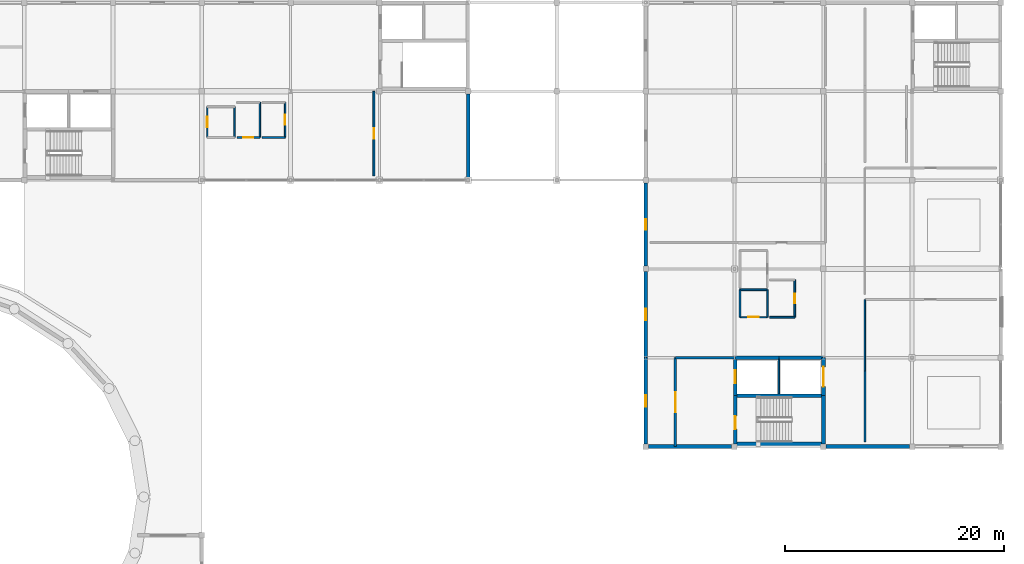
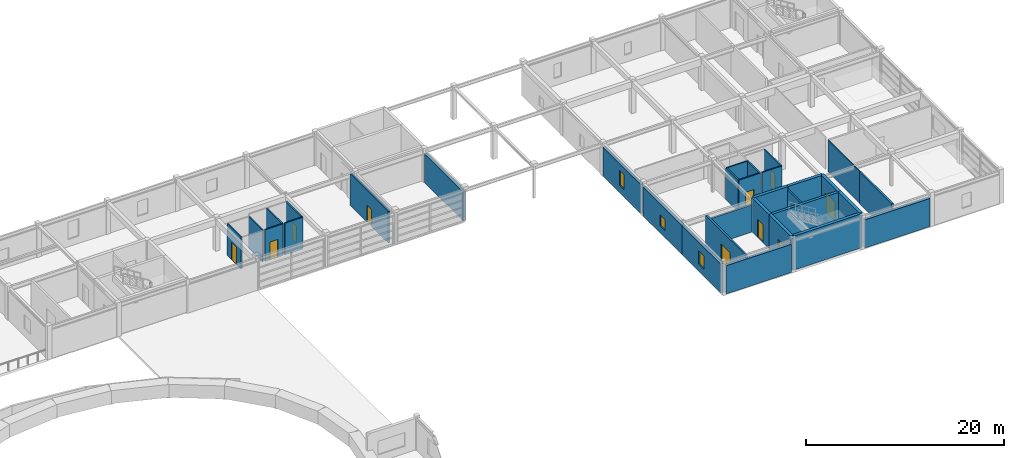
# One storey, part 17 of 26: 32 walls, 10 doors, 3 windows, 13 openings.
"""IFC4 building model written with IfcOpenShell, lengths in metres."""

from ifc_helpers import new_model, si_unit, direction, frame, frame_2d, origin, place, context, subcontext, project, spatial, rectangle, extrude, material, layer, layer_set, type_object, element, fill, save


model = new_model("IFC4")

# Units and contexts
model_context = context("Model", 3, precision=1e-05, world=origin(), true_north=direction((0.0, 1.0)))
body_context = subcontext(model_context, "Body", "Model", "MODEL_VIEW")
ifc_project = project(units=[si_unit("LENGTHUNIT", "METRE"), si_unit("AREAUNIT", "SQUARE_METRE"), si_unit("VOLUMEUNIT", "CUBIC_METRE"), si_unit("PLANEANGLEUNIT", "RADIAN"), si_unit("MASSUNIT", "GRAM", prefix="KILO")], contexts=[model_context])

# Site, building, storey
site_placement = place(None, origin())
site = spatial("IfcSite", under=ifc_project, at=site_placement, CompositionType="ELEMENT")
building_placement = place(site_placement, origin())
building = spatial("IfcBuilding", under=site, at=building_placement, Name="Parian Resonance Hall", CompositionType="ELEMENT")
storey_placement = place(building_placement, frame((0.0, 0.0, 19.199951171875)))
storey = spatial("IfcBuildingStorey", under=building, at=storey_placement, Name="L04", CompositionType="ELEMENT", Elevation=19.199951171875)

# Wall
ifc_material_1 = material(Name="Concrete C40/50", Category="concrete")
ifc_layer_1 = layer(ifc_material_1, 0.31005859375)
ifc_layer_set_1 = layer_set([ifc_layer_1], Name="Concrete C40/50")
wall_type_1 = type_object("IfcWallType", Name="CW310", PredefinedType="SHEAR", material=ifc_layer_set_1)
wall_1_placement = place(storey_placement, frame((121.570068359375, 53.25, 0.0), z_axis=(0.0, 0.0, 1.0), x_axis=(1.0, 0.0, 0.0)))
element("IfcWall", 1, at=wall_1_placement, inside=storey, type_object=wall_type_1, Name="Core K2 stair-lift divider wall L04", PredefinedType="SHEAR", context=body_context, shape_type="SweptSolid", body=[
    extrude(rectangle(XDim=8.059814453125, YDim=0.31005859375, at=frame_2d((4.02978515625, 0.0))), origin(), (0.0, 0.0, 1.0), 4.199951171875),
])

# Wall, opening, door
ifc_material_2 = material(Name="Concrete C40/50", Category="concrete")
ifc_layer_2 = layer(ifc_material_2, 0.35009765625)
ifc_layer_set_2 = layer_set([ifc_layer_2], Name="Concrete C40/50")
wall_type_2 = type_object("IfcWallType", Name="CW350", PredefinedType="SHEAR", material=ifc_layer_set_2)
wall_2_placement = place(storey_placement, frame((121.570068359375, 48.830078125, 0.0), z_axis=(0.0, 0.0, 1.0), x_axis=(0.0, 1.0, 0.0)))
wall_2 = element("IfcWall", 2, at=wall_2_placement, inside=storey, type_object=wall_type_2, Name="Core K2 stairwell west shear wall L04", PredefinedType="SHEAR", context=body_context, shape_type="SweptSolid", body=[
    extrude(rectangle(XDim=4.419921875, YDim=0.35009765625, at=frame_2d((2.2099609375, 0.0))), origin(), (0.0, 0.0, 1.0), 4.199951171875),
])
opening_1_placement = place(wall_2_placement, frame((1.35009765625, 0.0, 0.0)))
opening_1 = element("IfcOpeningElement", 3, at=opening_1_placement, cuts=wall_2, Name="Opening FD-01", PredefinedType="OPENING", context=body_context, shape_type="SweptSolid", body=[
    extrude(rectangle(XDim=1.199951171875, YDim=2.25, at=frame_2d((0.60009765625, 1.125))), frame((0.0, 0.18505859375, 0.0), z_axis=(0.0, -1.0, 0.0), x_axis=(1.0, 0.0, 0.0)), (0.0, 0.0, 1.0), 0.3701171875),
])
ifc_material_3 = material(Name="Fire-rated acoustic steel and narra timber door", Category="steel")
door_type_1 = type_object("IfcDoorType", Name="FD-01", OperationType="NOTDEFINED", PredefinedType="DOOR", material=ifc_material_3)
door_1_placement = place(opening_1_placement, origin())
door_1 = element("IfcDoor", 4, at=door_1_placement, inside=storey, type_object=door_type_1, Name="Exit stair ST-02 fire door L04", OperationType="SINGLE_SWING_LEFT", OverallHeight=2.25, OverallWidth=1.199951171875, PredefinedType="DOOR", context=body_context, shape_type="SweptSolid", body=[
    extrude(rectangle(XDim=1.199951171875, YDim=2.25, at=frame_2d((0.60009765625, 1.125))), frame((0.0, 0.02490234375, 0.0), z_axis=(0.0, -1.0, 0.0), x_axis=(1.0, 0.0, 0.0)), (0.0, 0.0, 1.0), 0.050048828125),
])
fill(opening_1, door_1)

wall_3_placement = place(storey_placement, frame((121.570068359375, 53.25, 0.0), z_axis=(0.0, 0.0, 1.0), x_axis=(0.0, 1.0, 0.0)))
wall_3 = element("IfcWall", 5, at=wall_3_placement, inside=storey, type_object=wall_type_2, Name="Core K2 lift shaft west shear wall L04", PredefinedType="SHEAR", context=body_context, shape_type="SweptSolid", body=[
    extrude(rectangle(XDim=3.449951171875, YDim=0.35009765625, at=frame_2d((1.72509765625, 0.0))), origin(), (0.0, 0.0, 1.0), 4.199951171875),
])
opening_2_placement = place(wall_3_placement, frame((1.125, 0.0, 0.0)))
opening_2 = element("IfcOpeningElement", 6, at=opening_2_placement, cuts=wall_3, Name="Opening LD-01", PredefinedType="OPENING", context=body_context, shape_type="SweptSolid", body=[
    extrude(rectangle(XDim=1.199951171875, YDim=2.199951171875, at=frame_2d((0.60009765625, 1.10009765625))), frame((0.0, 0.18505859375, 0.0), z_axis=(0.0, -1.0, 0.0), x_axis=(1.0, 0.0, 0.0)), (0.0, 0.0, 1.0), 0.3701171875),
])
ifc_material_4 = material(Name="Stainless steel and bronze elevator cab", Category="steel")
door_type_2 = type_object("IfcDoorType", Name="DOOR-LIFT-1200x2200", OperationType="SLIDING_TO_LEFT", PredefinedType="DOOR", material=ifc_material_4)
door_2_placement = place(opening_2_placement, origin())
door_2 = element("IfcDoor", 7, at=door_2_placement, inside=storey, type_object=door_type_2, Name="Lift LF-02 sliding landing door L04", OperationType="SLIDING_TO_LEFT", OverallHeight=2.199951171875, OverallWidth=1.199951171875, PredefinedType="DOOR", context=body_context, shape_type="SweptSolid", body=[
    extrude(rectangle(XDim=1.199951171875, YDim=2.199951171875, at=frame_2d((0.60009765625, 1.10009765625))), frame((0.0, 0.02490234375, 0.0), z_axis=(0.0, -1.0, 0.0), x_axis=(1.0, 0.0, 0.0)), (0.0, 0.0, 1.0), 0.050048828125),
])
fill(opening_2, door_2)

# Walls
wall_4_placement = place(storey_placement, frame((121.570068359375, 56.699951171875, 0.0), z_axis=(0.0, 0.0, 1.0), x_axis=(1.0, 0.0, 0.0)))
element("IfcWall", 8, at=wall_4_placement, inside=storey, type_object=wall_type_2, Name="Core K2 north-west shaft wall L04", PredefinedType="SHEAR", context=body_context, shape_type="SweptSolid", body=[
    extrude(rectangle(XDim=3.97998046875, YDim=0.35009765625, at=frame_2d((1.989990234375, 0.0))), origin(), (0.0, 0.0, 1.0), 4.199951171875),
])
wall_5_placement = place(storey_placement, frame((125.550048828125, 56.699951171875, 0.0), z_axis=(0.0, 0.0, 1.0), x_axis=(1.0, 0.0, 0.0)))
element("IfcWall", 9, at=wall_5_placement, inside=storey, type_object=wall_type_2, Name="Core K2 north-east shaft wall L04", PredefinedType="SHEAR", context=body_context, shape_type="SweptSolid", body=[
    extrude(rectangle(XDim=4.079833984375, YDim=0.35009765625, at=frame_2d((2.0400390625, 0.0))), origin(), (0.0, 0.0, 1.0), 4.199951171875),
])

# Wall, opening, door
wall_6_placement = place(storey_placement, frame((129.6298828125, 56.699951171875, 0.0), z_axis=(0.0, 0.0, 1.0), x_axis=(0.0, -1.0, 0.0)))
wall_6 = element("IfcWall", 10, at=wall_6_placement, inside=storey, type_object=wall_type_2, Name="Core K2 east shaft wall L04", PredefinedType="SHEAR", context=body_context, shape_type="SweptSolid", body=[
    extrude(rectangle(XDim=3.449951171875, YDim=0.35009765625, at=frame_2d((1.72509765625, 0.0))), origin(), (0.0, 0.0, 1.0), 4.199951171875),
])
opening_3_placement = place(wall_6_placement, frame((0.824951171875, 0.0, 0.0)))
opening_3 = element("IfcOpeningElement", 11, at=opening_3_placement, cuts=wall_6, Name="Opening LD-02", PredefinedType="OPENING", context=body_context, shape_type="SweptSolid", body=[
    extrude(rectangle(XDim=1.800048828125, YDim=2.39990234375, at=frame_2d((0.89990234375, 1.199951171875))), frame((0.0, 0.18505859375, 0.0), z_axis=(0.0, -1.0, 0.0), x_axis=(1.0, 0.0, 0.0)), (0.0, 0.0, 1.0), 0.3701171875),
])
ifc_material_5 = material(Name="Stainless steel and bronze elevator cab", Category="steel")
door_type_3 = type_object("IfcDoorType", Name="DOOR-LIFT-1800x2400", OperationType="SLIDING_TO_LEFT", PredefinedType="DOOR", material=ifc_material_5)
door_3_placement = place(opening_3_placement, origin())
door_3 = element("IfcDoor", 12, at=door_3_placement, inside=storey, type_object=door_type_3, Name="Lift LF-07 sliding landing door L04", OperationType="SLIDING_TO_LEFT", OverallHeight=2.39990234375, OverallWidth=1.800048828125, PredefinedType="DOOR", context=body_context, shape_type="SweptSolid", body=[
    extrude(rectangle(XDim=1.800048828125, YDim=2.39990234375, at=frame_2d((0.89990234375, 1.199951171875))), frame((0.0, 0.02490234375, 0.0), z_axis=(0.0, -1.0, 0.0), x_axis=(1.0, 0.0, 0.0)), (0.0, 0.0, 1.0), 0.050048828125),
])
fill(opening_3, door_3)

# Walls
wall_7_placement = place(storey_placement, frame((129.6298828125, 53.25, 0.0), z_axis=(0.0, 0.0, 1.0), x_axis=(0.0, -1.0, 0.0)))
element("IfcWall", 13, at=wall_7_placement, inside=storey, type_object=wall_type_2, Name="Core K2 stairwell east wall L04", PredefinedType="SHEAR", context=body_context, shape_type="SweptSolid", body=[
    extrude(rectangle(XDim=4.419921875, YDim=0.35009765625, at=frame_2d((2.2099609375, 0.0))), origin(), (0.0, 0.0, 1.0), 4.199951171875),
])
wall_8_placement = place(storey_placement, frame((129.6298828125, 48.830078125, 0.0), z_axis=(0.0, 0.0, 1.0), x_axis=(-1.0, 0.0, 0.0)))
element("IfcWall", 14, at=wall_8_placement, inside=storey, type_object=wall_type_2, Name="Core K2 stairwell south wall L04", PredefinedType="SHEAR", context=body_context, shape_type="SweptSolid", body=[
    extrude(rectangle(XDim=8.059814453125, YDim=0.35009765625, at=frame_2d((4.02978515625, 0.0))), origin(), (0.0, 0.0, 1.0), 4.199951171875),
])

# Wall, opening, window
ifc_material_6 = material(Name="Concrete C35/45 with Carcar coral-limestone ashlar", Category="masonry")
ifc_layer_3 = layer(ifc_material_6, 0.340087890625)
ifc_layer_set_3 = layer_set([ifc_layer_3], Name="Concrete C35/45 with Carcar coral-limestone ashlar")
wall_type_3 = type_object("IfcWallType", Name="EW-STONE-340", PredefinedType="SOLIDWALL", material=ifc_layer_set_3)
wall_9_placement = place(storey_placement, frame((113.39990234375, 72.64990234375, 0.0), z_axis=(0.0, 0.0, 1.0), x_axis=(0.0, -1.0, 0.0)))
wall_9 = element("IfcWall", 15, at=wall_9_placement, inside=storey, type_object=wall_type_3, Name="Perimeter closure wall L04", PredefinedType="SOLIDWALL", context=body_context, shape_type="SweptSolid", body=[
    extrude(rectangle(XDim=7.599853515625, YDim=0.340087890625, at=frame_2d((3.7998046875, 0.0))), origin(), (0.0, 0.0, 1.0), 3.59716796875),
])
opening_4_placement = place(wall_9_placement, frame((3.324951171875, 0.0, 0.89990234375)))
opening_4 = element("IfcOpeningElement", 16, at=opening_4_placement, cuts=wall_9, Name="Opening WN-06", PredefinedType="OPENING", context=body_context, shape_type="SweptSolid", body=[
    extrude(rectangle(XDim=0.949951171875, YDim=1.85009765625, at=frame_2d((0.47509765625, 0.925048828125))), frame((0.0, 0.179931640625, 0.0), z_axis=(0.0, -1.0, 0.0), x_axis=(1.0, 0.0, 0.0)), (0.0, 0.0, 1.0), 0.360107421875),
])
ifc_material_7 = material(Name="Acoustic laminated double glazing", Category="glass")
window_type_1 = type_object("IfcWindowType", Name="WIN-950x1850", PartitioningType="SINGLE_PANEL", PredefinedType="WINDOW", material=ifc_material_7)
window_1_placement = place(opening_4_placement, origin())
window_1 = element("IfcWindow", 17, at=window_1_placement, inside=storey, type_object=window_type_1, Name="Acoustic window L04-0119", OverallHeight=1.85009765625, OverallWidth=0.949951171875, PartitioningType="SINGLE_PANEL", PredefinedType="WINDOW", context=body_context, shape_type="SweptSolid", body=[
    extrude(rectangle(XDim=0.949951171875, YDim=1.85009765625, at=frame_2d((0.47509765625, 0.925048828125))), frame((0.0, 0.030029296875, 0.0), z_axis=(0.0, -1.0, 0.0), x_axis=(1.0, 0.0, 0.0)), (0.0, 0.0, 1.0), 0.06005859375),
])
fill(opening_4, window_1)

wall_10_placement = place(storey_placement, frame((113.39990234375, 64.550048828125, 0.0), z_axis=(0.0, 0.0, 1.0), x_axis=(0.0, -1.0, 0.0)))
wall_10 = element("IfcWall", 18, at=wall_10_placement, inside=storey, type_object=wall_type_3, Name="Perimeter closure wall L04", PredefinedType="SOLIDWALL", context=body_context, shape_type="SweptSolid", body=[
    extrude(rectangle(XDim=7.85009765625, YDim=0.340087890625, at=frame_2d((3.925048828125, 0.0))), origin(), (0.0, 0.0, 1.0), 3.59716796875),
])
opening_5_placement = place(wall_10_placement, frame((3.39990234375, 0.0, 0.89990234375)))
opening_5 = element("IfcOpeningElement", 19, at=opening_5_placement, cuts=wall_10, Name="Opening WN-07", PredefinedType="OPENING", context=body_context, shape_type="SweptSolid", body=[
    extrude(rectangle(XDim=1.050048828125, YDim=1.35009765625, at=frame_2d((0.52490234375, 0.675048828125))), frame((0.0, 0.179931640625, 0.0), z_axis=(0.0, -1.0, 0.0), x_axis=(1.0, 0.0, 0.0)), (0.0, 0.0, 1.0), 0.360107421875),
])
ifc_material_8 = material(Name="Acoustic laminated double glazing", Category="glass")
window_type_2 = type_object("IfcWindowType", Name="WIN-1050x1350", PartitioningType="SINGLE_PANEL", PredefinedType="WINDOW", material=ifc_material_8)
window_2_placement = place(opening_5_placement, origin())
window_2 = element("IfcWindow", 20, at=window_2_placement, inside=storey, type_object=window_type_2, Name="Acoustic window L04-0120", OverallHeight=1.35009765625, OverallWidth=1.050048828125, PartitioningType="SINGLE_PANEL", PredefinedType="WINDOW", context=body_context, shape_type="SweptSolid", body=[
    extrude(rectangle(XDim=1.050048828125, YDim=1.35009765625, at=frame_2d((0.52490234375, 0.675048828125))), frame((0.0, 0.030029296875, 0.0), z_axis=(0.0, -1.0, 0.0), x_axis=(1.0, 0.0, 0.0)), (0.0, 0.0, 1.0), 0.06005859375),
])
fill(opening_5, window_2)

wall_11_placement = place(storey_placement, frame((113.39990234375, 56.699951171875, 0.0), z_axis=(0.0, 0.0, 1.0), x_axis=(0.0, -1.0, 0.0)))
wall_11 = element("IfcWall", 21, at=wall_11_placement, inside=storey, type_object=wall_type_3, Name="Perimeter closure wall L04", PredefinedType="SOLIDWALL", context=body_context, shape_type="SweptSolid", body=[
    extrude(rectangle(XDim=7.849853515625, YDim=0.340087890625, at=frame_2d((3.9248046875, 0.0))), origin(), (0.0, 0.0, 1.0), 3.59716796875),
])
opening_6_placement = place(wall_11_placement, frame((3.39990234375, 0.0, 0.89990234375)))
opening_6 = element("IfcOpeningElement", 22, at=opening_6_placement, cuts=wall_11, Name="Opening WN-08", PredefinedType="OPENING", context=body_context, shape_type="SweptSolid", body=[
    extrude(rectangle(XDim=1.050048828125, YDim=1.64990234375, at=frame_2d((0.52490234375, 0.824951171875))), frame((0.0, 0.179931640625, 0.0), z_axis=(0.0, -1.0, 0.0), x_axis=(1.0, 0.0, 0.0)), (0.0, 0.0, 1.0), 0.360107421875),
])
ifc_material_9 = material(Name="Acoustic laminated double glazing", Category="glass")
window_type_3 = type_object("IfcWindowType", Name="WIN-1050x1650", PartitioningType="SINGLE_PANEL", PredefinedType="WINDOW", material=ifc_material_9)
window_3_placement = place(opening_6_placement, origin())
window_3 = element("IfcWindow", 23, at=window_3_placement, inside=storey, type_object=window_type_3, Name="Acoustic window L04-0121", OverallHeight=1.64990234375, OverallWidth=1.050048828125, PartitioningType="SINGLE_PANEL", PredefinedType="WINDOW", context=body_context, shape_type="SweptSolid", body=[
    extrude(rectangle(XDim=1.050048828125, YDim=1.64990234375, at=frame_2d((0.52490234375, 0.824951171875))), frame((0.0, 0.030029296875, 0.0), z_axis=(0.0, -1.0, 0.0), x_axis=(1.0, 0.0, 0.0)), (0.0, 0.0, 1.0), 0.06005859375),
])
fill(opening_6, window_3)

# Walls
wall_12_placement = place(storey_placement, frame((113.64990234375, 48.60009765625, 0.0), z_axis=(0.0, 0.0, 1.0), x_axis=(1.0, 0.0, 0.0)))
element("IfcWall", 24, at=wall_12_placement, inside=storey, type_object=wall_type_3, Name="Perimeter closure wall L04", PredefinedType="SOLIDWALL", context=body_context, shape_type="SweptSolid", body=[
    extrude(rectangle(XDim=7.60009765625, YDim=0.340087890625, at=frame_2d((3.800048828125, 0.0))), origin(), (0.0, 0.0, 1.0), 3.485107421875),
])
wall_13_placement = place(storey_placement, frame((129.85009765625, 48.60009765625, 0.0), z_axis=(0.0, 0.0, 1.0), x_axis=(1.0, 0.0, 0.0)))
element("IfcWall", 25, at=wall_13_placement, inside=storey, type_object=wall_type_3, Name="Perimeter closure wall L04", PredefinedType="SOLIDWALL", context=body_context, shape_type="SweptSolid", body=[
    extrude(rectangle(XDim=7.599853515625, YDim=0.340087890625, at=frame_2d((3.7998046875, 0.0))), origin(), (0.0, 0.0, 1.0), 3.485107421875),
])
wall_14_placement = place(storey_placement, frame((97.199951171875, 72.89990234375, 0.0), z_axis=(0.0, 0.0, 1.0), x_axis=(0.0, 1.0, 0.0)))
element("IfcWall", 26, at=wall_14_placement, inside=storey, type_object=wall_type_3, Name="Perimeter closure wall L04", PredefinedType="SOLIDWALL", context=body_context, shape_type="SweptSolid", body=[
    extrude(rectangle(XDim=7.85009765625, YDim=0.340087890625, at=frame_2d((3.925048828125, 0.0))), origin(), (0.0, 0.0, 1.0), 3.537109375),
])

# Wall, opening, door
ifc_material_10 = material(Name="Concrete C35/45 fire barrier", Category="concrete")
ifc_layer_4 = layer(ifc_material_10, 0.199951171875)
ifc_layer_set_4 = layer_set([ifc_layer_4], Name="Concrete C35/45 fire barrier")
wall_type_4 = type_object("IfcWallType", Name="FW200", PredefinedType="PARTITIONING", material=ifc_layer_set_4)
wall_15_placement = place(storey_placement, frame((116.10009765625, 48.60009765625, 0.0), z_axis=(0.0, 0.0, 1.0), x_axis=(0.0, 1.0, 0.0)))
wall_15 = element("IfcWall", 27, at=wall_15_placement, inside=storey, type_object=wall_type_4, Name="Firefighting lift lobby K2 west fire barrier L04", PredefinedType="PARTITIONING", context=body_context, shape_type="SweptSolid", body=[
    extrude(rectangle(XDim=8.099853515625, YDim=0.199951171875, at=frame_2d((4.0498046875, 0.0))), origin(), (0.0, 0.0, 1.0), 3.900146484375),
])
opening_7_placement = place(wall_15_placement, frame((3.14990234375, 0.0, 0.0)))
opening_7 = element("IfcOpeningElement", 28, at=opening_7_placement, cuts=wall_15, Name="Opening FD-02", PredefinedType="OPENING", context=body_context, shape_type="SweptSolid", body=[
    extrude(rectangle(XDim=1.800048828125, YDim=2.25, at=frame_2d((0.89990234375, 1.125))), frame((0.0, 0.10986328125, 0.0), z_axis=(0.0, -1.0, 0.0), x_axis=(1.0, 0.0, 0.0)), (0.0, 0.0, 1.0), 0.219970703125),
])
ifc_material_11 = material(Name="Fire-rated acoustic steel and narra timber door", Category="steel")
door_type_4 = type_object("IfcDoorType", Name="FD-02", OperationType="NOTDEFINED", PredefinedType="DOOR", material=ifc_material_11)
door_4_placement = place(opening_7_placement, origin())
door_4 = element("IfcDoor", 29, at=door_4_placement, inside=storey, type_object=door_type_4, Name="Firefighting lift lobby K2 smoke-seal fire door L04", OperationType="DOUBLE_DOOR_SINGLE_SWING", OverallHeight=2.25, OverallWidth=1.800048828125, PredefinedType="DOOR", context=body_context, shape_type="SweptSolid", body=[
    extrude(rectangle(XDim=1.800048828125, YDim=2.25, at=frame_2d((0.89990234375, 1.125))), frame((0.0, 0.02490234375, 0.0), z_axis=(0.0, -1.0, 0.0), x_axis=(1.0, 0.0, 0.0)), (0.0, 0.0, 1.0), 0.050048828125),
])
fill(opening_7, door_4)

# Walls
wall_16_placement = place(storey_placement, frame((116.10009765625, 56.699951171875, 0.0), z_axis=(0.0, 0.0, 1.0), x_axis=(1.0, 0.0, 0.0)))
element("IfcWall", 30, at=wall_16_placement, inside=storey, type_object=wall_type_4, Name="Firefighting lift lobby K2 N fire barrier L04", PredefinedType="PARTITIONING", context=body_context, shape_type="SweptSolid", body=[
    extrude(rectangle(XDim=5.469970703125, YDim=0.199951171875, at=frame_2d((2.73486328125, 0.0))), origin(), (0.0, 0.0, 1.0), 3.345947265625),
])
wall_17_placement = place(storey_placement, frame((133.39990234375, 49.0, 0.0), z_axis=(0.0, 0.0, 1.0), x_axis=(0.0, 1.0, 0.0)))
element("IfcWall", 31, at=wall_17_placement, inside=storey, type_object=wall_type_4, Name="Interior acoustic partition IW-L04-0272", PredefinedType="PARTITIONING", context=body_context, shape_type="SweptSolid", body=[
    extrude(rectangle(XDim=6.5, YDim=0.199951171875, at=frame_2d((3.25, 0.0))), origin(), (0.0, 0.0, 1.0), 3.920166015625),
])
ifc_material_12 = material(Name="Concrete C35/45 acoustic masonry partition", Category="masonry")
ifc_layer_5 = layer(ifc_material_12, 0.1201171875)
ifc_layer_set_5 = layer_set([ifc_layer_5], Name="Concrete C35/45 acoustic masonry partition")
wall_type_5 = type_object("IfcWallType", Name="PW120", PredefinedType="PARTITIONING", material=ifc_layer_set_5)
wall_18_placement = place(storey_placement, frame((133.39990234375, 55.5, 0.0), z_axis=(0.0, 0.0, 1.0), x_axis=(0.0, 1.0, 0.0)))
element("IfcWall", 32, at=wall_18_placement, inside=storey, type_object=wall_type_5, Name="Interior acoustic partition IW-L04-0273", PredefinedType="PARTITIONING", context=body_context, shape_type="SweptSolid", body=[
    extrude(rectangle(XDim=6.5, YDim=0.1201171875, at=frame_2d((3.25, 0.0))), origin(), (0.0, 0.0, 1.0), 3.920166015625),
])
ifc_material_13 = material(Name="Concrete C35/45 acoustic plumbing chase wall", Category="concrete")
ifc_layer_6 = layer(ifc_material_13, 0.14990234375)
ifc_layer_set_6 = layer_set([ifc_layer_6], Name="Concrete C35/45 acoustic plumbing chase wall")
wall_type_6 = type_object("IfcWallType", Name="PW150", PredefinedType="PLUMBINGWALL", material=ifc_layer_set_6)
wall_19_placement = place(storey_placement, frame((125.550048828125, 53.409912109375, 0.0), z_axis=(0.0, 0.0, 1.0), x_axis=(0.0, 1.0, 0.0)))
element("IfcWall", 33, at=wall_19_placement, inside=storey, type_object=wall_type_6, Name="Core K2 shaft plumbing/riser divider L04", PredefinedType="PLUMBINGWALL", context=body_context, shape_type="SweptSolid", body=[
    extrude(rectangle(XDim=3.130126953125, YDim=0.14990234375, at=frame_2d((1.56494140625, 0.0))), origin(), (0.0, 0.0, 1.0), 3.85009765625),
])
wall_20_placement = place(storey_placement, frame((75.89990234375, 79.60009765625, 0.0), z_axis=(0.0, 0.0, 1.0), x_axis=(0.0, -1.0, 0.0)))
element("IfcWall", 34, at=wall_20_placement, inside=storey, type_object=wall_type_6, Name="Interior acoustic partition IW-L04-0246", PredefinedType="PLUMBINGWALL", context=body_context, shape_type="SweptSolid", body=[
    extrude(rectangle(XDim=2.800048828125, YDim=0.14990234375, at=frame_2d((1.39990234375, 0.0))), origin(), (0.0, 0.0, 1.0), 3.920166015625),
])

# Wall, opening, door
wall_21_placement = place(storey_placement, frame((73.39990234375, 76.800048828125, 0.0), z_axis=(0.0, 0.0, 1.0), x_axis=(0.0, 1.0, 0.0)))
wall_21 = element("IfcWall", 35, at=wall_21_placement, inside=storey, type_object=wall_type_6, Name="Interior acoustic partition IW-L04-0248", PredefinedType="PLUMBINGWALL", context=body_context, shape_type="SweptSolid", body=[
    extrude(rectangle(XDim=2.800048828125, YDim=0.14990234375, at=frame_2d((1.39990234375, 0.0))), origin(), (0.0, 0.0, 1.0), 3.920166015625),
])
opening_8_placement = place(wall_21_placement, frame((0.919921875, 0.0, 0.0)))
opening_8 = element("IfcOpeningElement", 36, at=opening_8_placement, cuts=wall_21, Name="Opening ID-21", PredefinedType="OPENING", context=body_context, shape_type="SweptSolid", body=[
    extrude(rectangle(XDim=0.9599609375, YDim=2.159912109375, at=frame_2d((0.47998046875, 1.080078125))), frame((0.0, 0.0849609375, 0.0), z_axis=(0.0, -1.0, 0.0), x_axis=(1.0, 0.0, 0.0)), (0.0, 0.0, 1.0), 0.169921875),
])
ifc_material_14 = material(Name="Philippine narra acoustic timber door", Category="wood")
door_type_5 = type_object("IfcDoorType", Name="ID-AWC-0960x2160", OperationType="NOTDEFINED", PredefinedType="DOOR", material=ifc_material_14)
door_5_placement = place(opening_8_placement, origin())
door_5 = element("IfcDoor", 37, at=door_5_placement, inside=storey, type_object=door_type_5, Name="Accessible WC W1 door", OperationType="SINGLE_SWING_RIGHT", OverallHeight=2.159912109375, OverallWidth=0.9599609375, PredefinedType="DOOR", context=body_context, shape_type="SweptSolid", body=[
    extrude(rectangle(XDim=0.9599609375, YDim=2.159912109375, at=frame_2d((0.47998046875, 1.080078125))), frame((0.0, 0.02490234375, 0.0), z_axis=(0.0, -1.0, 0.0), x_axis=(1.0, 0.0, 0.0)), (0.0, 0.0, 1.0), 0.050048828125),
])
fill(opening_8, door_5)

# Wall
wall_22_placement = place(storey_placement, frame((78.199951171875, 80.0, 0.0), z_axis=(0.0, 0.0, 1.0), x_axis=(0.0, -1.0, 0.0)))
element("IfcWall", 38, at=wall_22_placement, inside=storey, type_object=wall_type_6, Name="Interior acoustic partition IW-L04-0250", PredefinedType="PLUMBINGWALL", context=body_context, shape_type="SweptSolid", body=[
    extrude(rectangle(XDim=3.199951171875, YDim=0.14990234375, at=frame_2d((1.60009765625, 0.0))), origin(), (0.0, 0.0, 1.0), 3.920166015625),
])

# Wall, opening, door
wall_23_placement = place(storey_placement, frame((78.199951171875, 76.800048828125, 0.0), z_axis=(0.0, 0.0, 1.0), x_axis=(-1.0, 0.0, 0.0)))
wall_23 = element("IfcWall", 39, at=wall_23_placement, inside=storey, type_object=wall_type_6, Name="Interior acoustic partition IW-L04-0251", PredefinedType="PLUMBINGWALL", context=body_context, shape_type="SweptSolid", body=[
    extrude(rectangle(XDim=2.099853515625, YDim=0.14990234375, at=frame_2d((1.0498046875, 0.0))), origin(), (0.0, 0.0, 1.0), 3.920166015625),
])
opening_9_placement = place(wall_23_placement, frame((0.60009765625, 0.0, 0.0)))
opening_9 = element("IfcOpeningElement", 40, at=opening_9_placement, cuts=wall_23, Name="Opening ID-23", PredefinedType="OPENING", context=body_context, shape_type="SweptSolid", body=[
    extrude(rectangle(XDim=0.89990234375, YDim=2.199951171875, at=frame_2d((0.449951171875, 1.10009765625))), frame((0.0, 0.0849609375, 0.0), z_axis=(0.0, -1.0, 0.0), x_axis=(1.0, 0.0, 0.0)), (0.0, 0.0, 1.0), 0.169921875),
])
ifc_material_15 = material(Name="Philippine narra acoustic timber door", Category="wood")
door_type_6 = type_object("IfcDoorType", Name="ID-WC-0900x2200", OperationType="NOTDEFINED", PredefinedType="DOOR", material=ifc_material_15)
door_6_placement = place(opening_9_placement, origin())
door_6 = element("IfcDoor", 41, at=door_6_placement, inside=storey, type_object=door_type_6, Name="Male Restroom W1 door", OperationType="SINGLE_SWING_LEFT", OverallHeight=2.199951171875, OverallWidth=0.89990234375, PredefinedType="DOOR", context=body_context, shape_type="SweptSolid", body=[
    extrude(rectangle(XDim=0.89990234375, YDim=2.199951171875, at=frame_2d((0.449951171875, 1.10009765625))), frame((0.0, 0.02490234375, 0.0), z_axis=(0.0, -1.0, 0.0), x_axis=(1.0, 0.0, 0.0)), (0.0, 0.0, 1.0), 0.050048828125),
])
fill(opening_9, door_6)

wall_24_placement = place(storey_placement, frame((80.5, 80.0, 0.0), z_axis=(0.0, 0.0, 1.0), x_axis=(0.0, -1.0, 0.0)))
wall_24 = element("IfcWall", 42, at=wall_24_placement, inside=storey, type_object=wall_type_6, Name="Interior acoustic partition IW-L04-0253", PredefinedType="PLUMBINGWALL", context=body_context, shape_type="SweptSolid", body=[
    extrude(rectangle(XDim=3.199951171875, YDim=0.14990234375, at=frame_2d((1.60009765625, 0.0))), origin(), (0.0, 0.0, 1.0), 3.920166015625),
])
opening_10_placement = place(wall_24_placement, frame((1.14990234375, 0.0, 0.0)))
opening_10 = element("IfcOpeningElement", 43, at=opening_10_placement, cuts=wall_24, Name="Opening ID-22", PredefinedType="OPENING", context=body_context, shape_type="SweptSolid", body=[
    extrude(rectangle(XDim=0.89990234375, YDim=2.10009765625, at=frame_2d((0.449951171875, 1.050048828125))), frame((0.0, 0.0849609375, 0.0), z_axis=(0.0, -1.0, 0.0), x_axis=(1.0, 0.0, 0.0)), (0.0, 0.0, 1.0), 0.169921875),
])
ifc_material_16 = material(Name="Philippine narra acoustic timber door", Category="wood")
door_type_7 = type_object("IfcDoorType", Name="ID-WC-0900x2100", OperationType="NOTDEFINED", PredefinedType="DOOR", material=ifc_material_16)
door_7_placement = place(opening_10_placement, origin())
door_7 = element("IfcDoor", 44, at=door_7_placement, inside=storey, type_object=door_type_7, Name="Female Restroom W1 door", OperationType="SINGLE_SWING_RIGHT", OverallHeight=2.10009765625, OverallWidth=0.89990234375, PredefinedType="DOOR", context=body_context, shape_type="SweptSolid", body=[
    extrude(rectangle(XDim=0.89990234375, YDim=2.10009765625, at=frame_2d((0.449951171875, 1.050048828125))), frame((0.0, 0.02490234375, 0.0), z_axis=(0.0, -1.0, 0.0), x_axis=(1.0, 0.0, 0.0)), (0.0, 0.0, 1.0), 0.050048828125),
])
fill(opening_10, door_7)

# Walls
wall_25_placement = place(storey_placement, frame((80.5, 76.800048828125, 0.0), z_axis=(0.0, 0.0, 1.0), x_axis=(-1.0, 0.0, 0.0)))
element("IfcWall", 45, at=wall_25_placement, inside=storey, type_object=wall_type_6, Name="Interior acoustic partition IW-L04-0254", PredefinedType="PLUMBINGWALL", context=body_context, shape_type="SweptSolid", body=[
    extrude(rectangle(XDim=2.10009765625, YDim=0.14990234375, at=frame_2d((1.050048828125, 0.0))), origin(), (0.0, 0.0, 1.0), 3.920166015625),
])
wall_26_placement = place(storey_placement, frame((124.5, 62.89990234375, 0.0), z_axis=(0.0, 0.0, 1.0), x_axis=(0.0, -1.0, 0.0)))
element("IfcWall", 46, at=wall_26_placement, inside=storey, type_object=wall_type_6, Name="Interior acoustic partition IW-L04-0256", PredefinedType="PLUMBINGWALL", context=body_context, shape_type="SweptSolid", body=[
    extrude(rectangle(XDim=2.5, YDim=0.14990234375, at=frame_2d((1.25, 0.0))), origin(), (0.0, 0.0, 1.0), 3.920166015625),
])

# Wall, opening, door
wall_27_placement = place(storey_placement, frame((124.5, 60.39990234375, 0.0), z_axis=(0.0, 0.0, 1.0), x_axis=(-1.0, 0.0, 0.0)))
wall_27 = element("IfcWall", 47, at=wall_27_placement, inside=storey, type_object=wall_type_6, Name="Interior acoustic partition IW-L04-0257", PredefinedType="PLUMBINGWALL", context=body_context, shape_type="SweptSolid", body=[
    extrude(rectangle(XDim=2.5, YDim=0.14990234375, at=frame_2d((1.25, 0.0))), origin(), (0.0, 0.0, 1.0), 3.920166015625),
])
opening_11_placement = place(wall_27_placement, frame((0.77001953125, 0.0, 0.0)))
opening_11 = element("IfcOpeningElement", 48, at=opening_11_placement, cuts=wall_27, Name="Opening ID-21", PredefinedType="OPENING", context=body_context, shape_type="SweptSolid", body=[
    extrude(rectangle(XDim=0.9599609375, YDim=2.159912109375, at=frame_2d((0.47998046875, 1.080078125))), frame((0.0, 0.0849609375, 0.0), z_axis=(0.0, -1.0, 0.0), x_axis=(1.0, 0.0, 0.0)), (0.0, 0.0, 1.0), 0.169921875),
])
door_8_placement = place(opening_11_placement, origin())
door_8 = element("IfcDoor", 49, at=door_8_placement, inside=storey, type_object=door_type_5, Name="Accessible WC W2 door", OperationType="SINGLE_SWING_LEFT", OverallHeight=2.159912109375, OverallWidth=0.9599609375, PredefinedType="DOOR", context=body_context, shape_type="SweptSolid", body=[
    extrude(rectangle(XDim=0.9599609375, YDim=2.159912109375, at=frame_2d((0.47998046875, 1.080078125))), frame((0.0, 0.02490234375, 0.0), z_axis=(0.0, -1.0, 0.0), x_axis=(1.0, 0.0, 0.0)), (0.0, 0.0, 1.0), 0.050048828125),
])
fill(opening_11, door_8)

# Walls
for number, where, z_axis, x_axis, name in (
    (50, (122.0, 60.39990234375, 0.0), (0.0, 0.0, 1.0), (0.0, 1.0, 0.0), "Interior acoustic partition IW-L04-0258"),
    (51, (122.0, 62.89990234375, 0.0), (0.0, 0.0, 1.0), (1.0, 0.0, 0.0), "Interior acoustic partition IW-L04-0259"),
):
    element("IfcWall", number, at=place(storey_placement, frame(where, z_axis=z_axis, x_axis=x_axis)), inside=storey, type_object=wall_type_6, Name=name, PredefinedType="PLUMBINGWALL", context=body_context, shape_type="SweptSolid", body=[
        extrude(rectangle(XDim=2.5, YDim=0.14990234375, at=frame_2d((1.25, 0.0))), origin(), (0.0, 0.0, 1.0), 3.920166015625),
    ])

# Wall, opening, door
wall_28_placement = place(storey_placement, frame((127.0, 63.800048828125, 0.0), z_axis=(0.0, 0.0, 1.0), x_axis=(0.0, -1.0, 0.0)))
wall_28 = element("IfcWall", 52, at=wall_28_placement, inside=storey, type_object=wall_type_6, Name="Interior acoustic partition IW-L04-0260", PredefinedType="PLUMBINGWALL", context=body_context, shape_type="SweptSolid", body=[
    extrude(rectangle(XDim=3.400146484375, YDim=0.14990234375, at=frame_2d((1.7001953125, 0.0))), origin(), (0.0, 0.0, 1.0), 3.920166015625),
])
opening_12_placement = place(wall_28_placement, frame((1.25, 0.0, 0.0)))
opening_12 = element("IfcOpeningElement", 53, at=opening_12_placement, cuts=wall_28, Name="Opening ID-22", PredefinedType="OPENING", context=body_context, shape_type="SweptSolid", body=[
    extrude(rectangle(XDim=0.89990234375, YDim=2.10009765625, at=frame_2d((0.449951171875, 1.050048828125))), frame((0.0, 0.0849609375, 0.0), z_axis=(0.0, -1.0, 0.0), x_axis=(1.0, 0.0, 0.0)), (0.0, 0.0, 1.0), 0.169921875),
])
door_9_placement = place(opening_12_placement, origin())
door_9 = element("IfcDoor", 54, at=door_9_placement, inside=storey, type_object=door_type_7, Name="Female Restroom W2 door", OperationType="SINGLE_SWING_RIGHT", OverallHeight=2.10009765625, OverallWidth=0.89990234375, PredefinedType="DOOR", context=body_context, shape_type="SweptSolid", body=[
    extrude(rectangle(XDim=0.89990234375, YDim=2.10009765625, at=frame_2d((0.449951171875, 1.050048828125))), frame((0.0, 0.02490234375, 0.0), z_axis=(0.0, -1.0, 0.0), x_axis=(1.0, 0.0, 0.0)), (0.0, 0.0, 1.0), 0.050048828125),
])
fill(opening_12, door_9)

# Wall
wall_29_placement = place(storey_placement, frame((127.0, 60.39990234375, 0.0), z_axis=(0.0, 0.0, 1.0), x_axis=(-1.0, 0.0, 0.0)))
element("IfcWall", 55, at=wall_29_placement, inside=storey, type_object=wall_type_6, Name="Interior acoustic partition IW-L04-0261", PredefinedType="PLUMBINGWALL", context=body_context, shape_type="SweptSolid", body=[
    extrude(rectangle(XDim=2.300048828125, YDim=0.14990234375, at=frame_2d((1.14990234375, 0.0))), origin(), (0.0, 0.0, 1.0), 3.920166015625),
])

# Wall, opening, door
ifc_material_17 = material(Name="Concrete C35/45 acoustic masonry partition", Category="masonry")
ifc_layer_7 = layer(ifc_material_17, 0.179931640625)
ifc_layer_set_7 = layer_set([ifc_layer_7], Name="Concrete C35/45 acoustic masonry partition")
wall_type_7 = type_object("IfcWallType", Name="PW180", PredefinedType="PARTITIONING", material=ifc_layer_set_7)
wall_30_placement = place(storey_placement, frame((88.60009765625, 81.0, 0.0), z_axis=(0.0, 0.0, 1.0), x_axis=(0.0, -1.0, 0.0)))
wall_30 = element("IfcWall", 56, at=wall_30_placement, inside=storey, type_object=wall_type_7, Name="Interior acoustic partition IW-L04-0266", PredefinedType="PARTITIONING", context=body_context, shape_type="SweptSolid", body=[
    extrude(rectangle(XDim=7.699951171875, YDim=0.179931640625, at=frame_2d((3.85009765625, 0.0))), origin(), (0.0, 0.0, 1.0), 3.920166015625),
])
opening_13_placement = place(wall_30_placement, frame((3.375, 0.0, 0.0)))
opening_13 = element("IfcOpeningElement", 57, at=opening_13_placement, cuts=wall_30, Name="Opening ID-19", PredefinedType="OPENING", context=body_context, shape_type="SweptSolid", body=[
    extrude(rectangle(XDim=0.949951171875, YDim=2.080078125, at=frame_2d((0.47509765625, 1.0400390625))), frame((0.0, 0.099853515625, 0.0), z_axis=(0.0, -1.0, 0.0), x_axis=(1.0, 0.0, 0.0)), (0.0, 0.0, 1.0), 0.199951171875),
])
ifc_material_18 = material(Name="Philippine narra acoustic timber door", Category="wood")
door_type_8 = type_object("IfcDoorType", Name="ID-OFF-0950x2080", OperationType="NOTDEFINED", PredefinedType="DOOR", material=ifc_material_18)
door_10_placement = place(opening_13_placement, origin())
door_10 = element("IfcDoor", 58, at=door_10_placement, inside=storey, type_object=door_type_8, Name="Historical Score Reading Room door", OperationType="SINGLE_SWING_RIGHT", OverallHeight=2.080078125, OverallWidth=0.949951171875, PredefinedType="DOOR", context=body_context, shape_type="SweptSolid", body=[
    extrude(rectangle(XDim=0.949951171875, YDim=2.080078125, at=frame_2d((0.47509765625, 1.0400390625))), frame((0.0, 0.02490234375, 0.0), z_axis=(0.0, -1.0, 0.0), x_axis=(1.0, 0.0, 0.0)), (0.0, 0.0, 1.0), 0.050048828125),
])
fill(opening_13, door_10)

save(model, "model.ifc")
